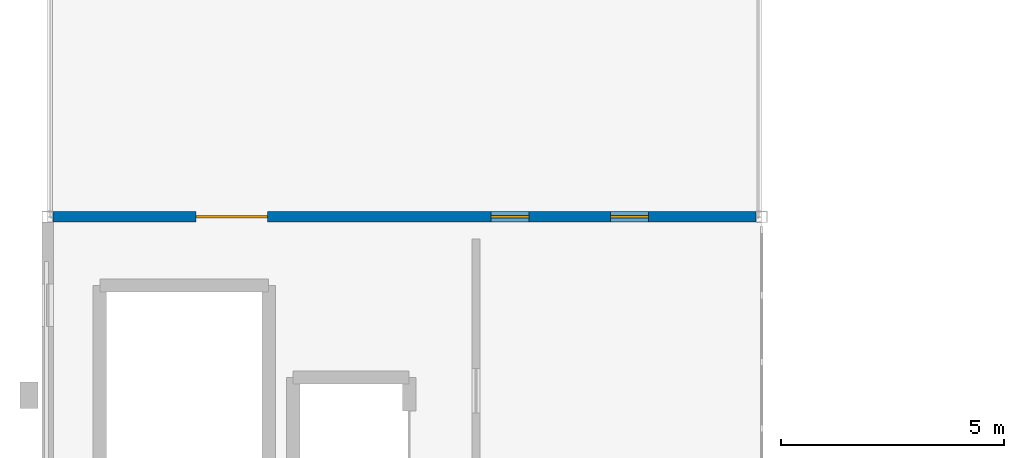
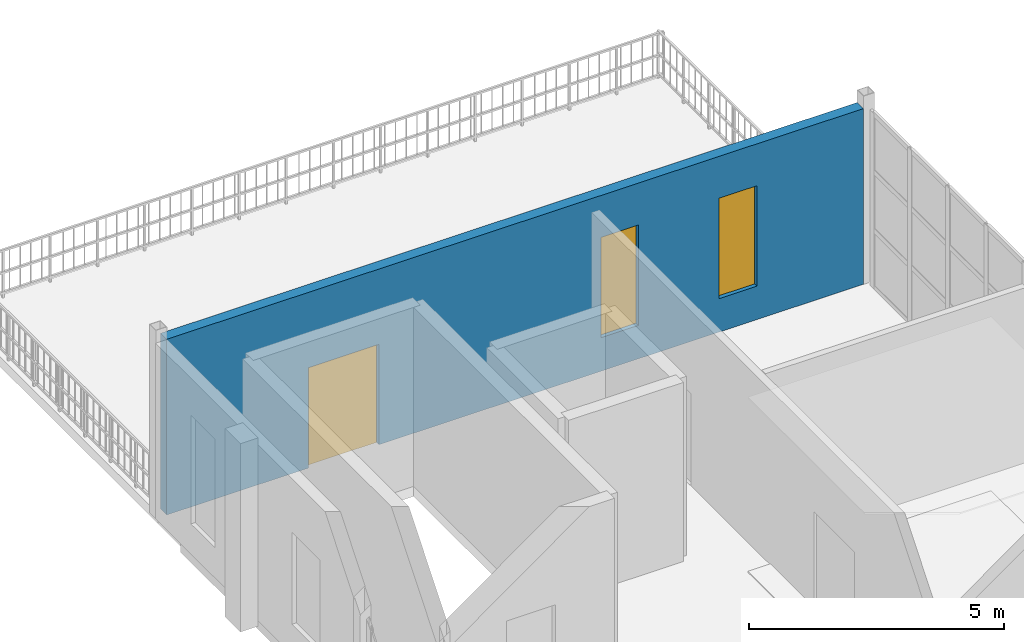
# One storey, part 6 of 9: 2 windows, 1 door, 1 wall, 3 openings.
"""IFC4 building model written with IfcOpenShell, lengths in metres."""

from ifc_helpers import new_model, si_unit, direction, frame, frame_2d, origin, place, context, subcontext, project, spatial, rectangle, extrude, material, layer, layer_set, type_object, element, fill, save


model = new_model("IFC4")

# Units and contexts
model_context = context("Model", 3, precision=1e-05, world=origin(), true_north=direction((0.0, 1.0)))
body_context = subcontext(model_context, "Body", "Model", "MODEL_VIEW")
ifc_project = project(units=[si_unit("LENGTHUNIT", "METRE"), si_unit("AREAUNIT", "SQUARE_METRE"), si_unit("VOLUMEUNIT", "CUBIC_METRE"), si_unit("PLANEANGLEUNIT", "RADIAN"), si_unit("MASSUNIT", "GRAM", prefix="KILO")], contexts=[model_context])

# Site, building, storey
site_placement = place(None, origin())
site = spatial("IfcSite", under=ifc_project, at=site_placement, CompositionType="ELEMENT")
building_placement = place(site_placement, origin())
building = spatial("IfcBuilding", under=site, at=building_placement, Name="Serraluz Foothill Cableway Terminal", CompositionType="ELEMENT")
storey_placement = place(building_placement, frame((0.0, 0.0, 19.800048828125)))
storey = spatial("IfcBuildingStorey", under=building, at=storey_placement, Name="L04", CompositionType="ELEMENT", Elevation=19.800048828125)

# Wall, openings, door, windows
ifc_material_1 = material(Name="Andean basalt ashlar masonry (f'm 18 MPa)", Category="masonry")
ifc_layer = layer(ifc_material_1, 0.239990234375, Name="Andean basalt ashlar masonry (f'm 18 MPa)", Category="masonry")
ifc_layer_set = layer_set([ifc_layer], Name="Andean basalt ashlar masonry (f'm 18 MPa)")
wall_type = type_object("IfcWallType", Name="TYP-WL-EXT-240", PredefinedType="STANDARD", material=ifc_layer_set)
wall_placement = place(storey_placement, frame((0.125, 56.0, 0.0), z_axis=(0.0, 0.0, 1.0), x_axis=(1.0, 0.0, 0.0)))
wall = element("IfcWall", 1, at=wall_placement, inside=storey, type_object=wall_type, Name="Exterior Masonry Wall EW-V5N-L04", PredefinedType="STANDARD", context=body_context, shape_type="SweptSolid", body=[
    extrude(rectangle(XDim=15.75, YDim=0.239990234375, at=frame_2d((7.875, 0.0))), origin(), (0.0, 0.0, 1.0), 4.199951171875),
])
opening_1_placement = place(wall_placement, frame((9.8125, 0.0, 0.800048828125)))
opening_1 = element("IfcOpeningElement", 2, at=opening_1_placement, cuts=wall, Name="Opening W-02", PredefinedType="OPENING", context=body_context, shape_type="SweptSolid", body=[
    extrude(rectangle(XDim=0.85009765625, YDim=2.39990234375, at=frame_2d((0.425048828125, 1.199951171875))), frame((0.0, 0.1298828125, 0.0), z_axis=(0.0, -1.0, 0.0), x_axis=(1.0, 0.0, 0.0)), (0.0, 0.0, 1.0), 0.260009765625),
])
opening_2_placement = place(wall_placement, frame((12.489990234375, 0.0, 0.800048828125)))
opening_2 = element("IfcOpeningElement", 3, at=opening_2_placement, cuts=wall, Name="Opening W-02", PredefinedType="OPENING", context=body_context, shape_type="SweptSolid", body=[
    extrude(rectangle(XDim=0.85009765625, YDim=2.39990234375, at=frame_2d((0.425048828125, 1.199951171875))), frame((0.0, 0.1298828125, 0.0), z_axis=(0.0, -1.0, 0.0), x_axis=(1.0, 0.0, 0.0)), (0.0, 0.0, 1.0), 0.260009765625),
])
opening_3_placement = place(wall_placement, frame((3.199951171875, 0.0, 0.0)))
opening_3 = element("IfcOpeningElement", 4, at=opening_3_placement, cuts=wall, Name="Opening DT-03", PredefinedType="OPENING", context=body_context, shape_type="SweptSolid", body=[
    extrude(rectangle(XDim=1.60009765625, YDim=2.39990234375, at=frame_2d((0.800048828125, 1.199951171875))), frame((0.0, 0.1298828125, 0.0), z_axis=(0.0, -1.0, 0.0), x_axis=(1.0, 0.0, 0.0)), (0.0, 0.0, 1.0), 0.260009765625),
])
ifc_material_2 = material(Name="Architectural bronze alloy C28000", Category="aluminium")
door_type = type_object("IfcDoorType", Name="TYP-DR-TER-1600", OperationType="DOUBLE_DOOR_SINGLE_SWING", PredefinedType="DOOR", material=ifc_material_2)
door_placement = place(opening_3_placement, origin())
door = element("IfcDoor", 5, at=door_placement, inside=storey, type_object=door_type, Name="Observatory Terrace Access Door L04", OperationType="DOUBLE_DOOR_SINGLE_SWING", OverallHeight=2.39990234375, OverallWidth=1.60009765625, PredefinedType="DOOR", context=body_context, shape_type="SweptSolid", body=[
    extrude(rectangle(XDim=1.60009765625, YDim=2.39990234375, at=frame_2d((0.800048828125, 1.199951171875))), frame((0.0, 0.02490234375, 0.0), z_axis=(0.0, -1.0, 0.0), x_axis=(1.0, 0.0, 0.0)), (0.0, 0.0, 1.0), 0.050048828125),
])
fill(opening_3, door)
ifc_material_3 = material(Name="Laminated low-E safety glass", Category="glass")
window_type = type_object("IfcWindowType", Name="TYP-WN-085X240", PartitioningType="SINGLE_PANEL", PredefinedType="WINDOW", material=ifc_material_3)
window_1_placement = place(opening_1_placement, origin())
window_1 = element("IfcWindow", 6, at=window_1_placement, inside=storey, type_object=window_type, Name="Exterior Window EW-V5N-L04-WN1", OverallHeight=2.39990234375, OverallWidth=0.85009765625, PartitioningType="SINGLE_PANEL", PredefinedType="WINDOW", context=body_context, shape_type="SweptSolid", body=[
    extrude(rectangle(XDim=0.85009765625, YDim=2.39990234375, at=frame_2d((0.425048828125, 1.199951171875))), frame((0.0, 0.030029296875, 0.0), z_axis=(0.0, -1.0, 0.0), x_axis=(1.0, 0.0, 0.0)), (0.0, 0.0, 1.0), 0.06005859375),
])
fill(opening_1, window_1)
window_2_placement = place(opening_2_placement, origin())
window_2 = element("IfcWindow", 7, at=window_2_placement, inside=storey, type_object=window_type, Name="Exterior Window EW-V5N-L04-WN2", OverallHeight=2.39990234375, OverallWidth=0.85009765625, PartitioningType="SINGLE_PANEL", PredefinedType="WINDOW", context=body_context, shape_type="SweptSolid", body=[
    extrude(rectangle(XDim=0.85009765625, YDim=2.39990234375, at=frame_2d((0.425048828125, 1.199951171875))), frame((0.0, 0.030029296875, 0.0), z_axis=(0.0, -1.0, 0.0), x_axis=(1.0, 0.0, 0.0)), (0.0, 0.0, 1.0), 0.06005859375),
])
fill(opening_2, window_2)

save(model, "model.ifc")
